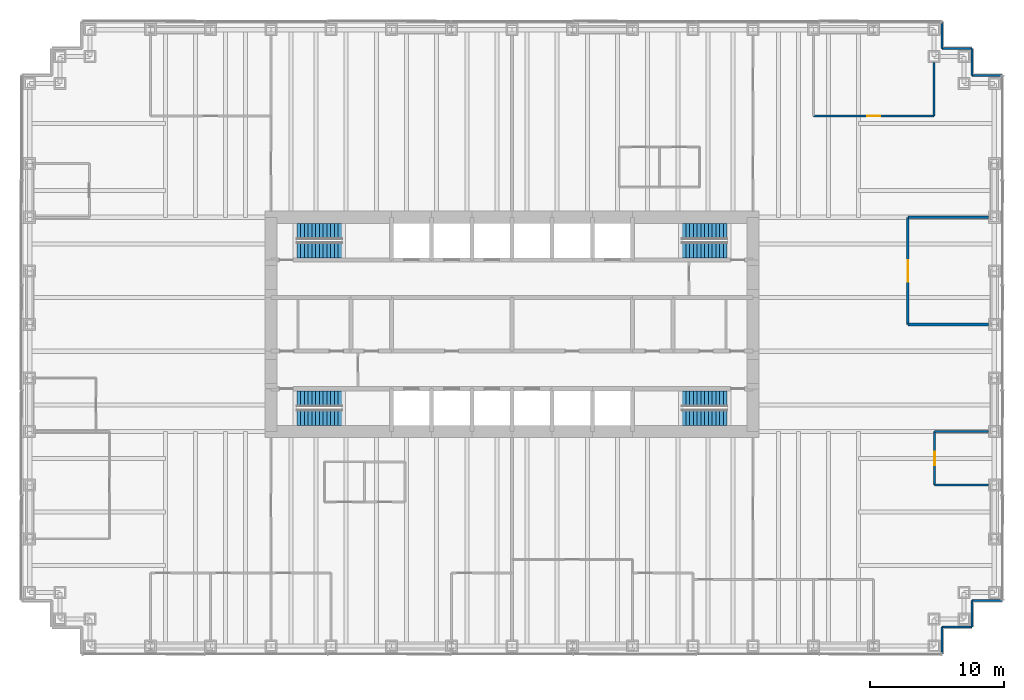
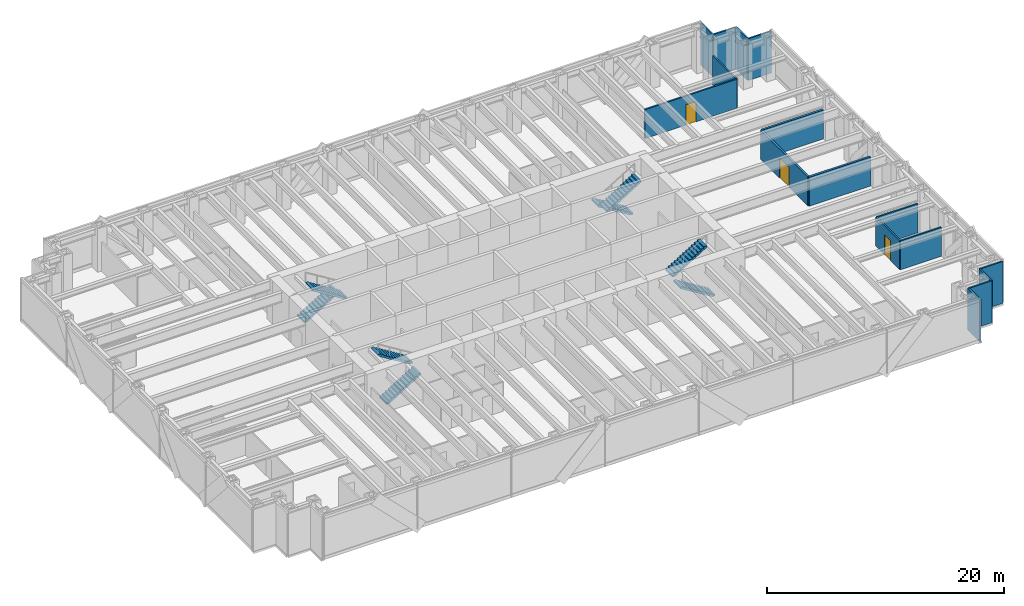
# One storey, part 12 of 13: 16 walls, 8 stair flights, 3 doors, 3 openings, 4 elements without a shape of their own.
"""IFC4 building model written with IfcOpenShell, lengths in metres."""

from ifc_helpers import new_model, si_unit, direction, frame, frame_2d, origin, place, context, subcontext, project, spatial, polyline, rectangle, outline, extrude, material, layer, layer_set, type_object, element, fill, aggregate, save


model = new_model("IFC4")

# Units and contexts
model_context = context("Model", 3, precision=1e-05, world=origin(), true_north=direction((0.0, 1.0)))
body_context = subcontext(model_context, "Body", "Model", "MODEL_VIEW")
ifc_project = project(units=[si_unit("LENGTHUNIT", "METRE"), si_unit("AREAUNIT", "SQUARE_METRE"), si_unit("VOLUMEUNIT", "CUBIC_METRE"), si_unit("PLANEANGLEUNIT", "RADIAN"), si_unit("MASSUNIT", "GRAM", prefix="KILO")], contexts=[model_context])

# Site, building, storey
site_placement = place(None, origin())
site = spatial("IfcSite", under=ifc_project, at=site_placement, CompositionType="ELEMENT")
building_placement = place(site_placement, origin())
building = spatial("IfcBuilding", under=site, at=building_placement, Name="Rheinbord Bourse Tower", CompositionType="ELEMENT")
storey_placement = place(building_placement, frame((0.0, 0.0, 54.5)))
storey = spatial("IfcBuildingStorey", under=building, at=storey_placement, Name="L11", CompositionType="ELEMENT", Elevation=54.5)

# Walls
ifc_material_1 = material(Name="Acoustic gypsum board partition", Category="gypsum board")
ifc_layer_1 = layer(ifc_material_1, 0.199951171875)
ifc_layer_set_1 = layer_set([ifc_layer_1], Name="ACOUSTIC PARTITION 200")
wall_type_1 = type_object("IfcWallType", Name="ACOUSTIC PARTITION 200", PredefinedType="PARTITIONING", material=ifc_layer_set_1)
for number, where, z_axis, x_axis, name in (
    (1, (65.550048828125, 24.0, 0.0), (0.0, 0.0, 1.0), (1.0, 0.0, 0.0), "Partition L11-15"),
    (2, (65.550048828125, 32.0, 0.0), (0.0, 0.0, 1.0), (1.0, 0.0, 0.0), "Partition L11-17"),
):
    element("IfcWall", number, at=place(storey_placement, frame(where, z_axis=z_axis, x_axis=x_axis)), inside=storey, type_object=wall_type_1, Name=name, PredefinedType="PARTITIONING", context=body_context, shape_type="SweptSolid", body=[
        extrude(rectangle(XDim=6.0, YDim=0.199951171875, at=frame_2d((3.0, 0.0))), origin(), (0.0, 0.0, 1.0), 3.0),
    ])

# Wall, opening, door
wall_1_placement = place(storey_placement, frame((65.550048828125, 24.0, 0.0), z_axis=(0.0, 0.0, 1.0), x_axis=(0.0, 1.0, 0.0)))
wall_1 = element("IfcWall", 3, at=wall_1_placement, inside=storey, type_object=wall_type_1, Name="Partition L11-52", PredefinedType="PARTITIONING", context=body_context, shape_type="SweptSolid", body=[
    extrude(rectangle(XDim=8.0, YDim=0.199951171875, at=frame_2d((4.0, 0.0))), origin(), (0.0, 0.0, 1.0), 3.0),
])
opening_1_placement = place(wall_1_placement, frame((3.199951171875, 0.0, 0.0)))
opening_1 = element("IfcOpeningElement", 4, at=opening_1_placement, cuts=wall_1, Name="Opening 11D15", PredefinedType="OPENING", context=body_context, shape_type="SweptSolid", body=[
    extrude(rectangle(XDim=1.60009765625, YDim=2.10009765625, at=frame_2d((0.800048828125, 1.050048828125))), frame((0.0, 0.10986328125, 0.0), z_axis=(0.0, -1.0, 0.0), x_axis=(1.0, 0.0, 0.0)), (0.0, 0.0, 1.0), 0.219970703125),
])
ifc_material_2 = material(Name="Timber door", Category="wood")
door_type_1 = type_object("IfcDoorType", Name="DOUBLE ROOM DOOR 1600", OperationType="DOUBLE_DOOR_DOUBLE_SWING", PredefinedType="DOOR", material=ifc_material_2)
door_1_placement = place(opening_1_placement, origin())
door_1 = element("IfcDoor", 5, at=door_1_placement, inside=storey, type_object=door_type_1, Name="Board room door L11", OperationType="SINGLE_SWING_LEFT", OverallHeight=2.10009765625, OverallWidth=1.60009765625, PredefinedType="DOOR", context=body_context, shape_type="SweptSolid", body=[
    extrude(rectangle(XDim=1.60009765625, YDim=2.10009765625, at=frame_2d((0.800048828125, 1.050048828125))), frame((0.0, 0.02490234375, 0.0), z_axis=(0.0, -1.0, 0.0), x_axis=(1.0, 0.0, 0.0)), (0.0, 0.0, 1.0), 0.050048828125),
])
fill(opening_1, door_1)

# Walls
ifc_material_3 = material(Name="Black metal rainscreen panel", Category="aluminium")
ifc_layer_2 = layer(ifc_material_3, 0.14990234375)
ifc_layer_set_2 = layer_set([ifc_layer_2], Name="CORNER PIER CLADDING 150")
wall_type_2 = type_object("IfcWallType", Name="CORNER PIER CLADDING 150", PredefinedType="ELEMENTEDWALL", material=ifc_layer_set_2)
wall_2_placement = place(storey_placement, frame((68.10009765625, -0.60009765625, 0.0), z_axis=(0.0, 0.0, 1.0), x_axis=(0.0, 1.0, 0.0)))
element("IfcWall", 6, at=wall_2_placement, inside=storey, type_object=wall_type_2, Name="Corner pier cladding L11 2", PredefinedType="ELEMENTEDWALL", context=body_context, shape_type="SweptSolid", body=[
    extrude(rectangle(XDim=2.0, YDim=0.14990234375, at=frame_2d((1.0, 0.0))), origin(), (0.0, 0.0, 1.0), 4.320068359375),
])
wall_3_placement = place(storey_placement, frame((68.10009765625, 1.39990234375, 0.0), z_axis=(0.0, 0.0, 1.0), x_axis=(1.0, 0.0, 0.0)))
element("IfcWall", 7, at=wall_3_placement, inside=storey, type_object=wall_type_2, Name="Corner pier cladding L11 3", PredefinedType="ELEMENTEDWALL", context=body_context, shape_type="SweptSolid", body=[
    extrude(rectangle(XDim=2.25, YDim=0.14990234375, at=frame_2d((1.125, 0.0))), origin(), (0.0, 0.0, 1.0), 4.320068359375),
])
wall_4_placement = place(storey_placement, frame((70.35009765625, 1.39990234375, 0.0), z_axis=(0.0, 0.0, 1.0), x_axis=(0.0, 1.0, 0.0)))
element("IfcWall", 8, at=wall_4_placement, inside=storey, type_object=wall_type_2, Name="Corner pier cladding L11 4", PredefinedType="ELEMENTEDWALL", context=body_context, shape_type="SweptSolid", body=[
    extrude(rectangle(XDim=2.0, YDim=0.14990234375, at=frame_2d((1.0, 0.0))), origin(), (0.0, 0.0, 1.0), 4.320068359375),
])
for number, where, z_axis, x_axis, name in (
    (9, (70.35009765625, 3.39990234375, 0.0), (0.0, 0.0, 1.0), (1.0, 0.0, 0.0), "Corner pier cladding L11 5"),
    (10, (72.60009765625, 42.60009765625, 0.0), (0.0, 0.0, 1.0), (-1.0, 0.0, 0.0), "Corner pier cladding L11 7"),
):
    element("IfcWall", number, at=place(storey_placement, frame(where, z_axis=z_axis, x_axis=x_axis)), inside=storey, type_object=wall_type_2, Name=name, PredefinedType="ELEMENTEDWALL", context=body_context, shape_type="SweptSolid", body=[
        extrude(rectangle(XDim=2.25, YDim=0.14990234375, at=frame_2d((1.125, 0.0))), origin(), (0.0, 0.0, 1.0), 4.320068359375),
    ])
wall_5_placement = place(storey_placement, frame((70.35009765625, 42.60009765625, 0.0), z_axis=(0.0, 0.0, 1.0), x_axis=(0.0, 1.0, 0.0)))
element("IfcWall", 11, at=wall_5_placement, inside=storey, type_object=wall_type_2, Name="Corner pier cladding L11 8", PredefinedType="ELEMENTEDWALL", context=body_context, shape_type="SweptSolid", body=[
    extrude(rectangle(XDim=2.0, YDim=0.14990234375, at=frame_2d((1.0, 0.0))), origin(), (0.0, 0.0, 1.0), 4.320068359375),
])
wall_6_placement = place(storey_placement, frame((70.35009765625, 44.60009765625, 0.0), z_axis=(0.0, 0.0, 1.0), x_axis=(-1.0, 0.0, 0.0)))
element("IfcWall", 12, at=wall_6_placement, inside=storey, type_object=wall_type_2, Name="Corner pier cladding L11 9", PredefinedType="ELEMENTEDWALL", context=body_context, shape_type="SweptSolid", body=[
    extrude(rectangle(XDim=2.25, YDim=0.14990234375, at=frame_2d((1.125, 0.0))), origin(), (0.0, 0.0, 1.0), 4.320068359375),
])
wall_7_placement = place(storey_placement, frame((68.10009765625, 44.60009765625, 0.0), z_axis=(0.0, 0.0, 1.0), x_axis=(0.0, 1.0, 0.0)))
element("IfcWall", 13, at=wall_7_placement, inside=storey, type_object=wall_type_2, Name="Corner pier cladding L11 10", PredefinedType="ELEMENTEDWALL", context=body_context, shape_type="SweptSolid", body=[
    extrude(rectangle(XDim=2.0, YDim=0.14990234375, at=frame_2d((1.0, 0.0))), origin(), (0.0, 0.0, 1.0), 4.320068359375),
])
ifc_material_4 = material(Name="Gypsum board fire partition", Category="gypsum board")
ifc_layer_3 = layer(ifc_material_4, 0.14990234375)
ifc_layer_set_3 = layer_set([ifc_layer_3], Name="FIRE PARTITION 150 EI60")
wall_type_3 = type_object("IfcWallType", Name="FIRE PARTITION 150 EI60", PredefinedType="PARTITIONING", material=ifc_layer_set_3)
for number, where, z_axis, x_axis, name in (
    (14, (67.550048828125, 12.0, 0.0), (0.0, 0.0, 1.0), (1.0, 0.0, 0.0), "Partition L11-09"),
    (15, (67.550048828125, 16.0, 0.0), (0.0, 0.0, 1.0), (1.0, 0.0, 0.0), "Partition L11-13"),
):
    element("IfcWall", number, at=place(storey_placement, frame(where, z_axis=z_axis, x_axis=x_axis)), inside=storey, type_object=wall_type_3, Name=name, PredefinedType="PARTITIONING", context=body_context, shape_type="SweptSolid", body=[
        extrude(rectangle(XDim=4.0, YDim=0.14990234375, at=frame_2d((2.0, 0.0))), origin(), (0.0, 0.0, 1.0), 3.0),
    ])

# Wall, opening, door
wall_8_placement = place(storey_placement, frame((67.550048828125, 12.0, 0.0), z_axis=(0.0, 0.0, 1.0), x_axis=(0.0, 1.0, 0.0)))
wall_8 = element("IfcWall", 16, at=wall_8_placement, inside=storey, type_object=wall_type_3, Name="Partition L11-54", PredefinedType="PARTITIONING", context=body_context, shape_type="SweptSolid", body=[
    extrude(rectangle(XDim=4.0, YDim=0.14990234375, at=frame_2d((2.0, 0.0))), origin(), (0.0, 0.0, 1.0), 3.0),
])
opening_2_placement = place(wall_8_placement, frame((1.5, 0.0, 0.0)))
opening_2 = element("IfcOpeningElement", 17, at=opening_2_placement, cuts=wall_8, Name="Opening 11D13", PredefinedType="OPENING", context=body_context, shape_type="SweptSolid", body=[
    extrude(rectangle(XDim=1.0, YDim=2.10009765625, at=frame_2d((0.5, 1.050048828125))), frame((0.0, 0.0849609375, 0.0), z_axis=(0.0, -1.0, 0.0), x_axis=(1.0, 0.0, 0.0)), (0.0, 0.0, 1.0), 0.169921875),
])
ifc_material_5 = material(Name="Timber fire door", Category="wood")
door_type_2 = type_object("IfcDoorType", Name="FIRE DOOR 1000 EI60", OperationType="SINGLE_SWING_LEFT", PredefinedType="DOOR", material=ifc_material_5)
door_2_placement = place(opening_2_placement, origin())
door_2 = element("IfcDoor", 18, at=door_2_placement, inside=storey, type_object=door_type_2, Name="Comms room door L11", OperationType="SINGLE_SWING_LEFT", OverallHeight=2.10009765625, OverallWidth=1.0, PredefinedType="DOOR", context=body_context, shape_type="SweptSolid", body=[
    extrude(rectangle(XDim=1.0, YDim=2.10009765625, at=frame_2d((0.5, 1.050048828125))), frame((0.0, 0.02490234375, 0.0), z_axis=(0.0, -1.0, 0.0), x_axis=(1.0, 0.0, 0.0)), (0.0, 0.0, 1.0), 0.050048828125),
])
fill(opening_2, door_2)

ifc_material_6 = material(Name="Gypsum board partition", Category="gypsum board")
ifc_layer_4 = layer(ifc_material_6, 0.14990234375)
ifc_layer_set_4 = layer_set([ifc_layer_4], Name="PARTITION 150")
wall_type_4 = type_object("IfcWallType", Name="PARTITION 150", PredefinedType="PARTITIONING", material=ifc_layer_set_4)
wall_9_placement = place(storey_placement, frame((58.5, 39.550048828125, 0.0), z_axis=(0.0, 0.0, 1.0), x_axis=(1.0, 0.0, 0.0)))
wall_9 = element("IfcWall", 19, at=wall_9_placement, inside=storey, type_object=wall_type_4, Name="Partition L11-22", PredefinedType="PARTITIONING", context=body_context, shape_type="SweptSolid", body=[
    extrude(rectangle(XDim=9.0, YDim=0.14990234375, at=frame_2d((4.5, 0.0))), origin(), (0.0, 0.0, 1.0), 3.0),
])
opening_3_placement = place(wall_9_placement, frame((4.0, 0.0, 0.0)))
opening_3 = element("IfcOpeningElement", 20, at=opening_3_placement, cuts=wall_9, Name="Opening 11D20", PredefinedType="OPENING", context=body_context, shape_type="SweptSolid", body=[
    extrude(rectangle(XDim=1.0, YDim=2.10009765625, at=frame_2d((0.5, 1.050048828125))), frame((0.0, 0.0849609375, 0.0), z_axis=(0.0, -1.0, 0.0), x_axis=(1.0, 0.0, 0.0)), (0.0, 0.0, 1.0), 0.169921875),
])
ifc_material_7 = material(Name="Timber door", Category="wood")
door_type_3 = type_object("IfcDoorType", Name="ROOM DOOR 1000", OperationType="SINGLE_SWING_LEFT", PredefinedType="DOOR", material=ifc_material_7)
door_3_placement = place(opening_3_placement, origin())
door_3 = element("IfcDoor", 21, at=door_3_placement, inside=storey, type_object=door_type_3, Name="Head of desk office door L11", OperationType="SINGLE_SWING_LEFT", OverallHeight=2.10009765625, OverallWidth=1.0, PredefinedType="DOOR", context=body_context, shape_type="SweptSolid", body=[
    extrude(rectangle(XDim=1.0, YDim=2.10009765625, at=frame_2d((0.5, 1.050048828125))), frame((0.0, 0.02490234375, 0.0), z_axis=(0.0, -1.0, 0.0), x_axis=(1.0, 0.0, 0.0)), (0.0, 0.0, 1.0), 0.050048828125),
])
fill(opening_3, door_3)

# Wall
wall_10_placement = place(storey_placement, frame((67.5, 39.550048828125, 0.0), z_axis=(0.0, 0.0, 1.0), x_axis=(0.0, 1.0, 0.0)))
element("IfcWall", 22, at=wall_10_placement, inside=storey, type_object=wall_type_4, Name="Partition L11-53", PredefinedType="PARTITIONING", context=body_context, shape_type="SweptSolid", body=[
    extrude(rectangle(XDim=4.0, YDim=0.14990234375, at=frame_2d((2.0, 0.0))), origin(), (0.0, 0.0, 1.0), 3.0),
])

# Stair, stair flights
ifc_material_8 = material(Name="Concrete C30/37", Category="concrete")
stair_type = type_object("IfcStairType", Name="CORE STAIR HALF TURN 4500", PredefinedType="HALF_TURN_STAIR", material=ifc_material_8)
stair_1_placement = place(storey_placement, origin())
stair_1 = element("IfcStair", 23, at=stair_1_placement, inside=storey, type_object=stair_type, Name="Stair ST1 L11, type CS4", PredefinedType="HALF_TURN_STAIR")
ifc_material_9 = material(Name="Concrete C30/37", Category="concrete")
stair_flight_type = type_object("IfcStairFlightType", Name="CORE STAIR FLIGHT 1200, 13 RISERS", PredefinedType="STRAIGHT", material=ifc_material_9)
stair_flight_1_placement = place(storey_placement, frame((19.949951171875, 17.050048828125, 0.0), z_axis=(0.0, 0.0, 1.0), x_axis=(1.0, 0.0, 0.0)))
stair_flight_1 = element("IfcStairFlight", 24, at=stair_flight_1_placement, type_object=stair_flight_type, Name="STAIR L11 ST1 F1", NumberOfRisers=13, NumberOfTreads=12, PredefinedType="STRAIGHT", RiserHeight=0.173076923, TreadLength=0.28, context=body_context, shape_type="SweptSolid", body=[
    extrude(outline(polyline([(0.0, 0.0), (0.0, 0.173095703125), (0.280029296875, 0.173095703125), (0.280029296875, 0.34619140625), (0.56005859375, 0.34619140625), (0.56005859375, 0.519287109375), (0.840087890625, 0.519287109375), (0.840087890625, 0.6923828125), (1.1201171875, 0.6923828125), (1.1201171875, 0.865478515625), (1.39990234375, 0.865478515625), (1.39990234375, 1.03857421875), (1.679931640625, 1.03857421875), (1.679931640625, 1.21142578125), (1.9599609375, 1.21142578125), (1.9599609375, 1.384521484375), (2.239990234375, 1.384521484375), (2.239990234375, 1.5576171875), (2.52001953125, 1.5576171875), (2.52001953125, 1.730712890625), (2.800048828125, 1.730712890625), (2.800048828125, 1.90380859375), (3.080078125, 1.90380859375), (3.080078125, 2.076904296875), (3.360107421875, 2.076904296875), (3.360107421875, 2.25), (3.360107421875, 1.900634765625), (0.28515625, 0.0), (0.0, 0.0)])), frame((0.0, 0.60009765625, 0.0), z_axis=(0.0, -1.0, 0.0), x_axis=(1.0, 0.0, 0.0)), (0.0, 0.0, 1.0), 1.199951171875),
])
stair_flight_2_placement = place(storey_placement, frame((23.31005859375, 18.449951171875, 2.25), z_axis=(0.0, 0.0, 1.0), x_axis=(-1.0, 0.0, 0.0)))
stair_flight_2 = element("IfcStairFlight", 25, at=stair_flight_2_placement, type_object=stair_flight_type, Name="STAIR L11 ST1 F2", NumberOfRisers=13, NumberOfTreads=12, PredefinedType="STRAIGHT", RiserHeight=0.173076923, TreadLength=0.28, context=body_context, shape_type="SweptSolid", body=[
    extrude(outline(polyline([(0.0, 0.0), (0.0, 0.173095703125), (0.280029296875, 0.173095703125), (0.280029296875, 0.34619140625), (0.56005859375, 0.34619140625), (0.56005859375, 0.519287109375), (0.840087890625, 0.519287109375), (0.840087890625, 0.6923828125), (1.1201171875, 0.6923828125), (1.1201171875, 0.865478515625), (1.39990234375, 0.865478515625), (1.39990234375, 1.03857421875), (1.679931640625, 1.03857421875), (1.679931640625, 1.21142578125), (1.9599609375, 1.21142578125), (1.9599609375, 1.384521484375), (2.239990234375, 1.384521484375), (2.239990234375, 1.5576171875), (2.52001953125, 1.5576171875), (2.52001953125, 1.730712890625), (2.800048828125, 1.730712890625), (2.800048828125, 1.90380859375), (3.080078125, 1.90380859375), (3.080078125, 2.076904296875), (3.360107421875, 2.076904296875), (3.360107421875, 2.25), (3.360107421875, 1.900634765625), (0.28515625, 0.0), (0.0, 0.0)])), frame((0.0, 0.60009765625, 0.0), z_axis=(0.0, -1.0, 0.0), x_axis=(1.0, 0.0, 0.0)), (0.0, 0.0, 1.0), 1.199951171875),
])
aggregate(stair_1, [stair_flight_1, stair_flight_2])

stair_2_placement = place(storey_placement, origin())
stair_2 = element("IfcStair", 26, at=stair_2_placement, inside=storey, type_object=stair_type, Name="Stair ST2 L11, type CS4", PredefinedType="HALF_TURN_STAIR")
stair_flight_3_placement = place(storey_placement, frame((19.949951171875, 30.949951171875, 0.0), z_axis=(0.0, 0.0, 1.0), x_axis=(1.0, 0.0, 0.0)))
stair_flight_3 = element("IfcStairFlight", 27, at=stair_flight_3_placement, type_object=stair_flight_type, Name="STAIR L11 ST2 F1", NumberOfRisers=13, NumberOfTreads=12, PredefinedType="STRAIGHT", RiserHeight=0.173076923, TreadLength=0.28, context=body_context, shape_type="SweptSolid", body=[
    extrude(outline(polyline([(0.0, 0.0), (0.0, 0.173095703125), (0.280029296875, 0.173095703125), (0.280029296875, 0.34619140625), (0.56005859375, 0.34619140625), (0.56005859375, 0.519287109375), (0.840087890625, 0.519287109375), (0.840087890625, 0.6923828125), (1.1201171875, 0.6923828125), (1.1201171875, 0.865478515625), (1.39990234375, 0.865478515625), (1.39990234375, 1.03857421875), (1.679931640625, 1.03857421875), (1.679931640625, 1.21142578125), (1.9599609375, 1.21142578125), (1.9599609375, 1.384521484375), (2.239990234375, 1.384521484375), (2.239990234375, 1.5576171875), (2.52001953125, 1.5576171875), (2.52001953125, 1.730712890625), (2.800048828125, 1.730712890625), (2.800048828125, 1.90380859375), (3.080078125, 1.90380859375), (3.080078125, 2.076904296875), (3.360107421875, 2.076904296875), (3.360107421875, 2.25), (3.360107421875, 1.900634765625), (0.28515625, 0.0), (0.0, 0.0)])), frame((0.0, 0.60009765625, 0.0), z_axis=(0.0, -1.0, 0.0), x_axis=(1.0, 0.0, 0.0)), (0.0, 0.0, 1.0), 1.199951171875),
])
stair_flight_4_placement = place(storey_placement, frame((23.31005859375, 29.550048828125, 2.25), z_axis=(0.0, 0.0, 1.0), x_axis=(-1.0, 0.0, 0.0)))
stair_flight_4 = element("IfcStairFlight", 28, at=stair_flight_4_placement, type_object=stair_flight_type, Name="STAIR L11 ST2 F2", NumberOfRisers=13, NumberOfTreads=12, PredefinedType="STRAIGHT", RiserHeight=0.173076923, TreadLength=0.28, context=body_context, shape_type="SweptSolid", body=[
    extrude(outline(polyline([(0.0, 0.0), (0.0, 0.173095703125), (0.280029296875, 0.173095703125), (0.280029296875, 0.34619140625), (0.56005859375, 0.34619140625), (0.56005859375, 0.519287109375), (0.840087890625, 0.519287109375), (0.840087890625, 0.6923828125), (1.1201171875, 0.6923828125), (1.1201171875, 0.865478515625), (1.39990234375, 0.865478515625), (1.39990234375, 1.03857421875), (1.679931640625, 1.03857421875), (1.679931640625, 1.21142578125), (1.9599609375, 1.21142578125), (1.9599609375, 1.384521484375), (2.239990234375, 1.384521484375), (2.239990234375, 1.5576171875), (2.52001953125, 1.5576171875), (2.52001953125, 1.730712890625), (2.800048828125, 1.730712890625), (2.800048828125, 1.90380859375), (3.080078125, 1.90380859375), (3.080078125, 2.076904296875), (3.360107421875, 2.076904296875), (3.360107421875, 2.25), (3.360107421875, 1.900634765625), (0.28515625, 0.0), (0.0, 0.0)])), frame((0.0, 0.60009765625, 0.0), z_axis=(0.0, -1.0, 0.0), x_axis=(1.0, 0.0, 0.0)), (0.0, 0.0, 1.0), 1.199951171875),
])
aggregate(stair_2, [stair_flight_3, stair_flight_4])

stair_3_placement = place(storey_placement, origin())
stair_3 = element("IfcStair", 29, at=stair_3_placement, inside=storey, type_object=stair_type, Name="Stair ST3 L11, type CS4", PredefinedType="HALF_TURN_STAIR")
stair_flight_5_placement = place(storey_placement, frame((52.050048828125, 17.050048828125, 0.0), z_axis=(0.0, 0.0, 1.0), x_axis=(-1.0, 0.0, 0.0)))
stair_flight_5 = element("IfcStairFlight", 30, at=stair_flight_5_placement, type_object=stair_flight_type, Name="STAIR L11 ST3 F1", NumberOfRisers=13, NumberOfTreads=12, PredefinedType="STRAIGHT", RiserHeight=0.173076923, TreadLength=0.28, context=body_context, shape_type="SweptSolid", body=[
    extrude(outline(polyline([(0.0, 0.0), (0.0, 0.173095703125), (0.280029296875, 0.173095703125), (0.280029296875, 0.34619140625), (0.56005859375, 0.34619140625), (0.56005859375, 0.519287109375), (0.840087890625, 0.519287109375), (0.840087890625, 0.6923828125), (1.1201171875, 0.6923828125), (1.1201171875, 0.865478515625), (1.39990234375, 0.865478515625), (1.39990234375, 1.03857421875), (1.679931640625, 1.03857421875), (1.679931640625, 1.21142578125), (1.9599609375, 1.21142578125), (1.9599609375, 1.384521484375), (2.239990234375, 1.384521484375), (2.239990234375, 1.5576171875), (2.52001953125, 1.5576171875), (2.52001953125, 1.730712890625), (2.800048828125, 1.730712890625), (2.800048828125, 1.90380859375), (3.080078125, 1.90380859375), (3.080078125, 2.076904296875), (3.360107421875, 2.076904296875), (3.360107421875, 2.25), (3.360107421875, 1.900634765625), (0.28515625, 0.0), (0.0, 0.0)])), frame((0.0, 0.60009765625, 0.0), z_axis=(0.0, -1.0, 0.0), x_axis=(1.0, 0.0, 0.0)), (0.0, 0.0, 1.0), 1.199951171875),
])
stair_flight_6_placement = place(storey_placement, frame((48.68994140625, 18.449951171875, 2.25), z_axis=(0.0, 0.0, 1.0), x_axis=(1.0, 0.0, 0.0)))
stair_flight_6 = element("IfcStairFlight", 31, at=stair_flight_6_placement, type_object=stair_flight_type, Name="STAIR L11 ST3 F2", NumberOfRisers=13, NumberOfTreads=12, PredefinedType="STRAIGHT", RiserHeight=0.173076923, TreadLength=0.28, context=body_context, shape_type="SweptSolid", body=[
    extrude(outline(polyline([(0.0, 0.0), (0.0, 0.173095703125), (0.280029296875, 0.173095703125), (0.280029296875, 0.34619140625), (0.56005859375, 0.34619140625), (0.56005859375, 0.519287109375), (0.840087890625, 0.519287109375), (0.840087890625, 0.6923828125), (1.1201171875, 0.6923828125), (1.1201171875, 0.865478515625), (1.39990234375, 0.865478515625), (1.39990234375, 1.03857421875), (1.679931640625, 1.03857421875), (1.679931640625, 1.21142578125), (1.9599609375, 1.21142578125), (1.9599609375, 1.384521484375), (2.239990234375, 1.384521484375), (2.239990234375, 1.5576171875), (2.52001953125, 1.5576171875), (2.52001953125, 1.730712890625), (2.800048828125, 1.730712890625), (2.800048828125, 1.90380859375), (3.080078125, 1.90380859375), (3.080078125, 2.076904296875), (3.360107421875, 2.076904296875), (3.360107421875, 2.25), (3.360107421875, 1.900634765625), (0.28515625, 0.0), (0.0, 0.0)])), frame((0.0, 0.60009765625, 0.0), z_axis=(0.0, -1.0, 0.0), x_axis=(1.0, 0.0, 0.0)), (0.0, 0.0, 1.0), 1.199951171875),
])
aggregate(stair_3, [stair_flight_5, stair_flight_6])

stair_4_placement = place(storey_placement, origin())
stair_4 = element("IfcStair", 32, at=stair_4_placement, inside=storey, type_object=stair_type, Name="Stair ST4 L11, type CS4", PredefinedType="HALF_TURN_STAIR")
stair_flight_7_placement = place(storey_placement, frame((52.050048828125, 30.949951171875, 0.0), z_axis=(0.0, 0.0, 1.0), x_axis=(-1.0, 0.0, 0.0)))
stair_flight_7 = element("IfcStairFlight", 33, at=stair_flight_7_placement, type_object=stair_flight_type, Name="STAIR L11 ST4 F1", NumberOfRisers=13, NumberOfTreads=12, PredefinedType="STRAIGHT", RiserHeight=0.173076923, TreadLength=0.28, context=body_context, shape_type="SweptSolid", body=[
    extrude(outline(polyline([(0.0, 0.0), (0.0, 0.173095703125), (0.280029296875, 0.173095703125), (0.280029296875, 0.34619140625), (0.56005859375, 0.34619140625), (0.56005859375, 0.519287109375), (0.840087890625, 0.519287109375), (0.840087890625, 0.6923828125), (1.1201171875, 0.6923828125), (1.1201171875, 0.865478515625), (1.39990234375, 0.865478515625), (1.39990234375, 1.03857421875), (1.679931640625, 1.03857421875), (1.679931640625, 1.21142578125), (1.9599609375, 1.21142578125), (1.9599609375, 1.384521484375), (2.239990234375, 1.384521484375), (2.239990234375, 1.5576171875), (2.52001953125, 1.5576171875), (2.52001953125, 1.730712890625), (2.800048828125, 1.730712890625), (2.800048828125, 1.90380859375), (3.080078125, 1.90380859375), (3.080078125, 2.076904296875), (3.360107421875, 2.076904296875), (3.360107421875, 2.25), (3.360107421875, 1.900634765625), (0.28515625, 0.0), (0.0, 0.0)])), frame((0.0, 0.60009765625, 0.0), z_axis=(0.0, -1.0, 0.0), x_axis=(1.0, 0.0, 0.0)), (0.0, 0.0, 1.0), 1.199951171875),
])
stair_flight_8_placement = place(storey_placement, frame((48.68994140625, 29.550048828125, 2.25), z_axis=(0.0, 0.0, 1.0), x_axis=(1.0, 0.0, 0.0)))
stair_flight_8 = element("IfcStairFlight", 34, at=stair_flight_8_placement, type_object=stair_flight_type, Name="STAIR L11 ST4 F2", NumberOfRisers=13, NumberOfTreads=12, PredefinedType="STRAIGHT", RiserHeight=0.173076923, TreadLength=0.28, context=body_context, shape_type="SweptSolid", body=[
    extrude(outline(polyline([(0.0, 0.0), (0.0, 0.173095703125), (0.280029296875, 0.173095703125), (0.280029296875, 0.34619140625), (0.56005859375, 0.34619140625), (0.56005859375, 0.519287109375), (0.840087890625, 0.519287109375), (0.840087890625, 0.6923828125), (1.1201171875, 0.6923828125), (1.1201171875, 0.865478515625), (1.39990234375, 0.865478515625), (1.39990234375, 1.03857421875), (1.679931640625, 1.03857421875), (1.679931640625, 1.21142578125), (1.9599609375, 1.21142578125), (1.9599609375, 1.384521484375), (2.239990234375, 1.384521484375), (2.239990234375, 1.5576171875), (2.52001953125, 1.5576171875), (2.52001953125, 1.730712890625), (2.800048828125, 1.730712890625), (2.800048828125, 1.90380859375), (3.080078125, 1.90380859375), (3.080078125, 2.076904296875), (3.360107421875, 2.076904296875), (3.360107421875, 2.25), (3.360107421875, 1.900634765625), (0.28515625, 0.0), (0.0, 0.0)])), frame((0.0, 0.60009765625, 0.0), z_axis=(0.0, -1.0, 0.0), x_axis=(1.0, 0.0, 0.0)), (0.0, 0.0, 1.0), 1.199951171875),
])
aggregate(stair_4, [stair_flight_7, stair_flight_8])

save(model, "model.ifc")
